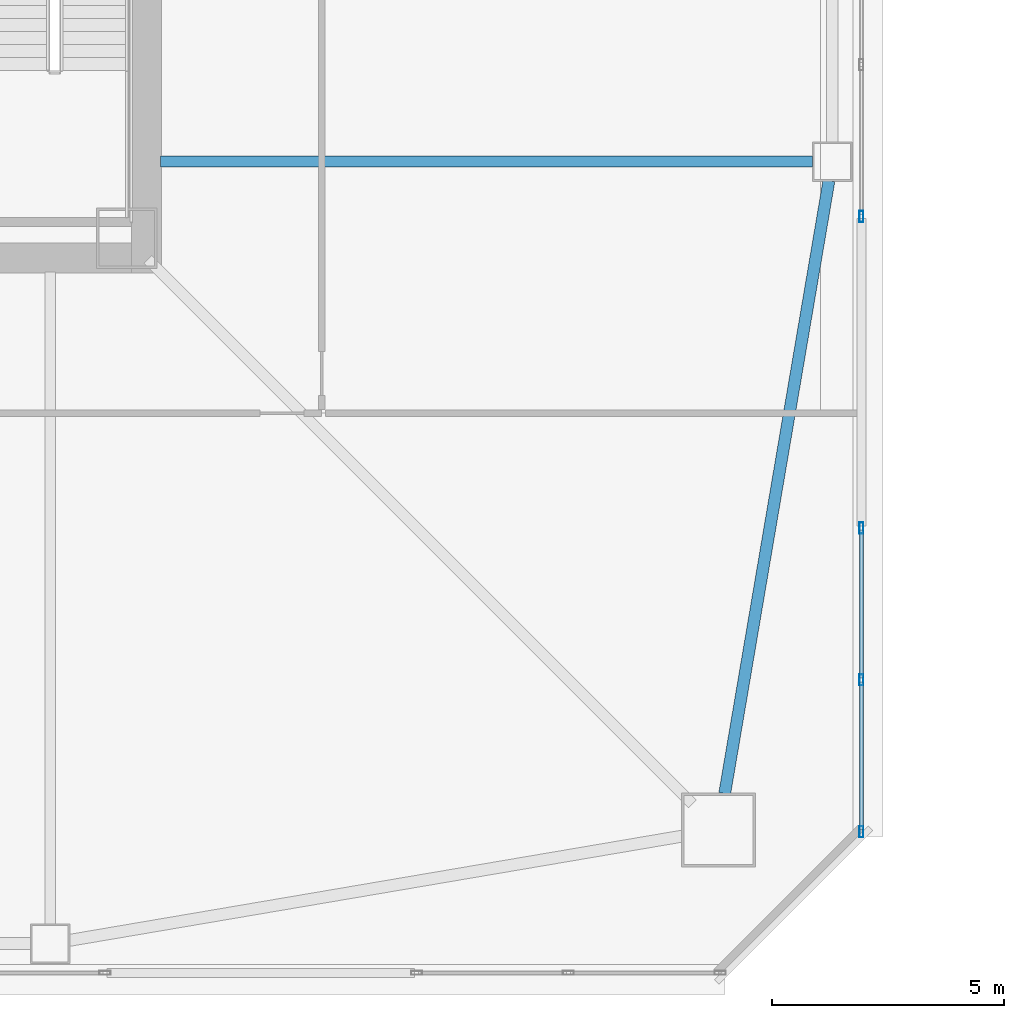
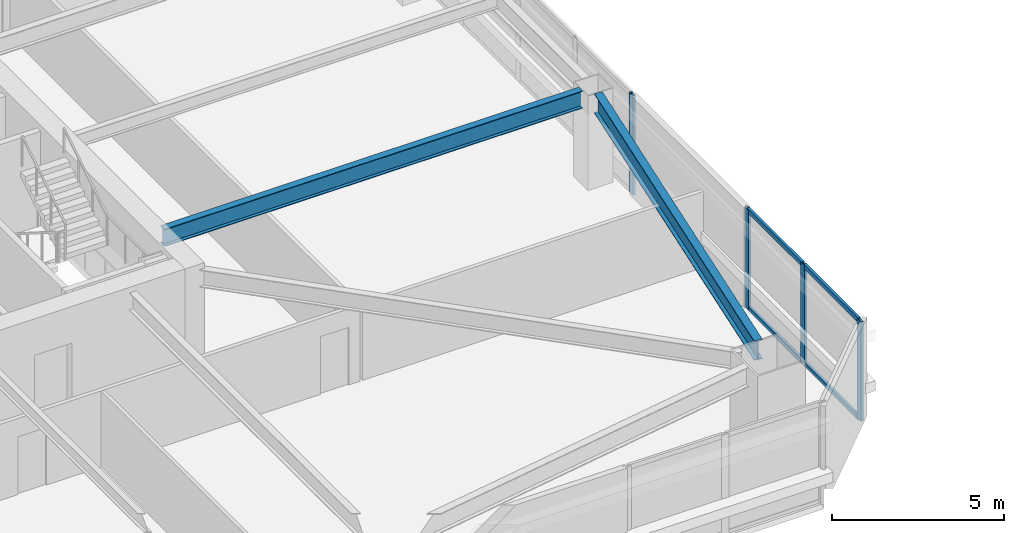
# One storey, part 9 of 47: 8 members, 2 beams, 2 elements without a shape of their own.
"""IFC4 building model written with IfcOpenShell, lengths in metres."""

from ifc_helpers import new_model, si_unit, direction, frame, origin, origin_2d, place, context, subcontext, project, spatial, hollow_rectangle, i_section, extrude, material, material_profile, profile_set, type_object, element, aggregate, save


model = new_model("IFC4")

# Units and contexts
model_context = context("Model", 3, precision=1e-05, world=origin(), true_north=direction((0.0, 1.0)))
body_context = subcontext(model_context, "Body", "Model", "MODEL_VIEW")
ifc_project = project(units=[si_unit("LENGTHUNIT", "METRE"), si_unit("AREAUNIT", "SQUARE_METRE"), si_unit("VOLUMEUNIT", "CUBIC_METRE"), si_unit("PLANEANGLEUNIT", "RADIAN"), si_unit("MASSUNIT", "GRAM", prefix="KILO")], contexts=[model_context])

# Site, building, storey
site_placement = place(None, origin())
site = spatial("IfcSite", under=ifc_project, at=site_placement, CompositionType="ELEMENT")
building_placement = place(site_placement, origin())
building = spatial("IfcBuilding", under=site, at=building_placement, Name="Tashvorn Skyway Center", CompositionType="ELEMENT")
storey_placement = place(building_placement, frame((0.0, 0.0, 42.35009765625)))
storey = spatial("IfcBuildingStorey", under=building, at=storey_placement, Name="L10", CompositionType="ELEMENT", Elevation=42.35009765625)

# Beams
ifc_material_1 = material(Name="Steel ASTM A992 Grade 50", Category="steel")
ifc_material_profile_1 = material_profile(ifc_material_1, i_section(OverallWidth=0.22998046875, OverallDepth=0.616943359375, WebThickness=0.01318359375, FlangeThickness=0.022216796875, at=origin_2d()), Name="W24X94")
ifc_profile_set_1 = profile_set([ifc_material_profile_1], Name="Steel ASTM A992 Grade 50")
beam_type_1 = type_object("IfcBeamType", Name="BM-BEAM-W24X94", PredefinedType="BEAM", material=ifc_profile_set_1)
beam_1_placement = place(storey_placement, frame((63.830078125, 26.60009765625, 3.04150390625), z_axis=(-1.0, 0.0, 0.0), x_axis=(0.0, -1.0, 0.0)))
element("IfcBeam", 1, at=beam_1_placement, inside=storey, type_object=beam_type_1, Name="Tower 1 L10 Primary Floor Girder FC-E1", PredefinedType="BEAM", context=body_context, shape_type="SweptSolid", body=[
    extrude(i_section(OverallWidth=0.22998046875, OverallDepth=0.616943359375, WebThickness=0.01318359375, FlangeThickness=0.022216796875, at=origin_2d()), origin(), (0.0, 0.0, 1.0), 14.050048828125),
])
ifc_material_profile_2 = material_profile(ifc_material_1, i_section(OverallWidth=0.256103515625, OverallDepth=0.693115234375, WebThickness=0.014404296875, FlangeThickness=0.023681640625, at=origin_2d()), Name="W27X114")
ifc_profile_set_2 = profile_set([ifc_material_profile_2], Name="Steel ASTM A992 Grade 50")
beam_type_2 = type_object("IfcBeamType", Name="BM-SPANDREL-W27X114", PredefinedType="SPANDREL", material=ifc_profile_set_2)
beam_2_placement = place(storey_placement, frame((61.933349609375, 12.983642578125, 3.00341796875), z_axis=(0.16771792509, 0.985835025551, 0.0), x_axis=(-0.985835025551, 0.16771792509, 0.0)))
element("IfcBeam", 2, at=beam_2_placement, inside=storey, type_object=beam_type_2, Name="Tower 1 L10 Spandrel Beam 04", PredefinedType="SPANDREL", context=body_context, shape_type="SweptSolid", body=[
    extrude(i_section(OverallWidth=0.256103515625, OverallDepth=0.693115234375, WebThickness=0.014404296875, FlangeThickness=0.023681640625, at=origin_2d()), origin(), (0.0, 0.0, 1.0), 13.39208984375),
])

# Curtain wall, member
ifc_material_2 = material(Name="Thermally broken bronze-anodized aluminium 6063-T6", Category="aluminium")
curtain_wall_type = type_object("IfcCurtainWallType", Name="CW-CW-Z1", PredefinedType="NOTDEFINED", material=ifc_material_2)
curtain_wall_1_placement = place(storey_placement, origin())
curtain_wall_1 = element("IfcCurtainWall", 3, at=curtain_wall_1_placement, inside=storey, type_object=curtain_wall_type, Name="Tower 1 L10 East Unitised Curtain Wall Glazing Group 2", PredefinedType="NOTDEFINED")
ifc_material_profile_3 = material_profile(ifc_material_2, hollow_rectangle(XDim=0.0849609375, YDim=0.239990234375, WallThickness=0.0048828125, at=origin_2d()), Name="ALU-MULL-85x240")
ifc_profile_set_3 = profile_set([ifc_material_profile_3], Name="Thermally broken bronze-anodized aluminium 6063-T6")
member_type_1 = type_object("IfcMemberType", Name="CWM-CW-Z1", PredefinedType="MULLION", material=ifc_profile_set_3)
member_1_placement = place(storey_placement, frame((64.8798828125, 25.415771484375, 0.0), z_axis=(0.0, 0.0, 1.0), x_axis=(1.0, 0.0, 0.0)))
member_1 = element("IfcMember", 4, at=member_1_placement, type_object=member_type_1, Name="CW-Z1 mullion 5", PredefinedType="MULLION", context=body_context, shape_type="SweptSolid", body=[
    extrude(hollow_rectangle(XDim=0.0849609375, YDim=0.239990234375, WallThickness=0.0048828125, at=origin_2d()), origin(), (0.0, 0.0, 1.0), 3.5498046875),
])
aggregate(curtain_wall_1, [member_1])

# Curtain wall, members
curtain_wall_2_placement = place(storey_placement, origin())
curtain_wall_2 = element("IfcCurtainWall", 5, at=curtain_wall_2_placement, inside=storey, type_object=curtain_wall_type, Name="Tower 1 L10 East Unitised Curtain Wall Glazing Group 3", PredefinedType="NOTDEFINED")
member_2_placement = place(storey_placement, frame((64.8798828125, 18.7041015625, 0.0), z_axis=(0.0, 0.0, 1.0), x_axis=(1.0, 0.0, 0.0)))
member_2 = element("IfcMember", 6, at=member_2_placement, type_object=member_type_1, Name="CW-Z1 mullion 1", PredefinedType="MULLION", context=body_context, shape_type="SweptSolid", body=[
    extrude(hollow_rectangle(XDim=0.0849609375, YDim=0.239990234375, WallThickness=0.0048828125, at=origin_2d()), origin(), (0.0, 0.0, 1.0), 3.5498046875),
])
member_3_placement = place(storey_placement, frame((64.8798828125, 15.433349609375, 0.0), z_axis=(0.0, 0.0, 1.0), x_axis=(1.0, 0.0, 0.0)))
member_3 = element("IfcMember", 7, at=member_3_placement, type_object=member_type_1, Name="CW-Z1 mullion 2", PredefinedType="MULLION", context=body_context, shape_type="SweptSolid", body=[
    extrude(hollow_rectangle(XDim=0.0849609375, YDim=0.239990234375, WallThickness=0.0048828125, at=origin_2d()), origin(), (0.0, 0.0, 1.0), 3.5498046875),
])
member_4_placement = place(storey_placement, frame((64.8798828125, 12.16259765625, 0.0), z_axis=(0.0, 0.0, 1.0), x_axis=(1.0, 0.0, 0.0)))
member_4 = element("IfcMember", 8, at=member_4_placement, type_object=member_type_1, Name="CW-Z1 mullion 3", PredefinedType="MULLION", context=body_context, shape_type="SweptSolid", body=[
    extrude(hollow_rectangle(XDim=0.0849609375, YDim=0.239990234375, WallThickness=0.0048828125, at=origin_2d()), origin(), (0.0, 0.0, 1.0), 3.5498046875),
])
ifc_material_profile_4 = material_profile(ifc_material_2, hollow_rectangle(XDim=0.0849609375, YDim=0.1650390625, WallThickness=0.0048828125, at=origin_2d()), Name="ALU-TRAN-85x165")
ifc_profile_set_4 = profile_set([ifc_material_profile_4], Name="Thermally broken bronze-anodized aluminium 6063-T6")
member_type_2 = type_object("IfcMemberType", Name="CWT-CW-Z1", PredefinedType="USERDEFINED", material=ifc_profile_set_4)
member_5_placement = place(storey_placement, frame((64.8798828125, 18.66162109375, 0.04248046875), z_axis=(0.0, -1.0, 0.0), x_axis=(1.0, 0.0, 0.0)))
member_5 = element("IfcMember", 9, at=member_5_placement, type_object=member_type_2, Name="CW-Z1 transom 1.1", ObjectType="TRANSOM", PredefinedType="USERDEFINED", context=body_context, shape_type="SweptSolid", body=[
    extrude(hollow_rectangle(XDim=0.0849609375, YDim=0.1650390625, WallThickness=0.0048828125, at=origin_2d()), origin(), (0.0, 0.0, 1.0), 3.185791015625),
])
member_6_placement = place(storey_placement, frame((64.8798828125, 18.66162109375, 3.50732421875), z_axis=(0.0, -1.0, 0.0), x_axis=(1.0, 0.0, 0.0)))
member_6 = element("IfcMember", 10, at=member_6_placement, type_object=member_type_2, Name="CW-Z1 transom 1.2", ObjectType="TRANSOM", PredefinedType="USERDEFINED", context=body_context, shape_type="SweptSolid", body=[
    extrude(hollow_rectangle(XDim=0.0849609375, YDim=0.1650390625, WallThickness=0.0048828125, at=origin_2d()), origin(), (0.0, 0.0, 1.0), 3.185791015625),
])
member_7_placement = place(storey_placement, frame((64.8798828125, 15.390869140625, 0.04248046875), z_axis=(0.0, -1.0, 0.0), x_axis=(1.0, 0.0, 0.0)))
member_7 = element("IfcMember", 11, at=member_7_placement, type_object=member_type_2, Name="CW-Z1 transom 2.1", ObjectType="TRANSOM", PredefinedType="USERDEFINED", context=body_context, shape_type="SweptSolid", body=[
    extrude(hollow_rectangle(XDim=0.0849609375, YDim=0.1650390625, WallThickness=0.0048828125, at=origin_2d()), origin(), (0.0, 0.0, 1.0), 3.185791015625),
])
member_8_placement = place(storey_placement, frame((64.8798828125, 15.390869140625, 3.50732421875), z_axis=(0.0, -1.0, 0.0), x_axis=(1.0, 0.0, 0.0)))
member_8 = element("IfcMember", 12, at=member_8_placement, type_object=member_type_2, Name="CW-Z1 transom 2.2", ObjectType="TRANSOM", PredefinedType="USERDEFINED", context=body_context, shape_type="SweptSolid", body=[
    extrude(hollow_rectangle(XDim=0.0849609375, YDim=0.1650390625, WallThickness=0.0048828125, at=origin_2d()), origin(), (0.0, 0.0, 1.0), 3.185791015625),
])
aggregate(curtain_wall_2, [member_2, member_3, member_4, member_5, member_6, member_7, member_8])

save(model, "model.ifc")
